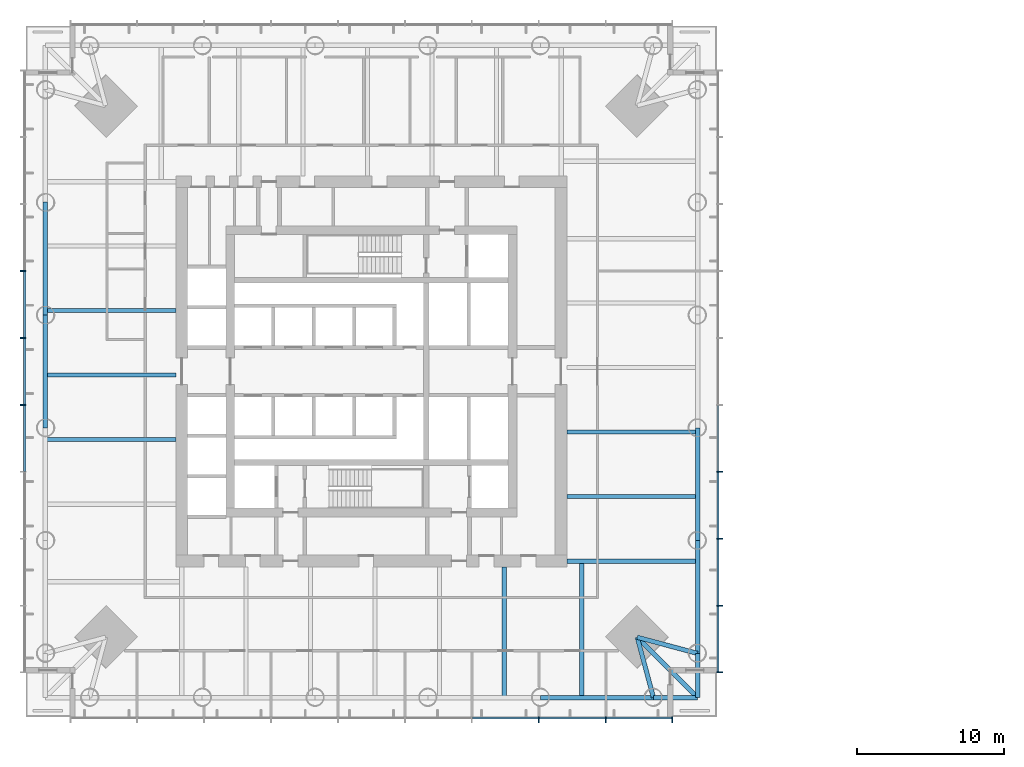
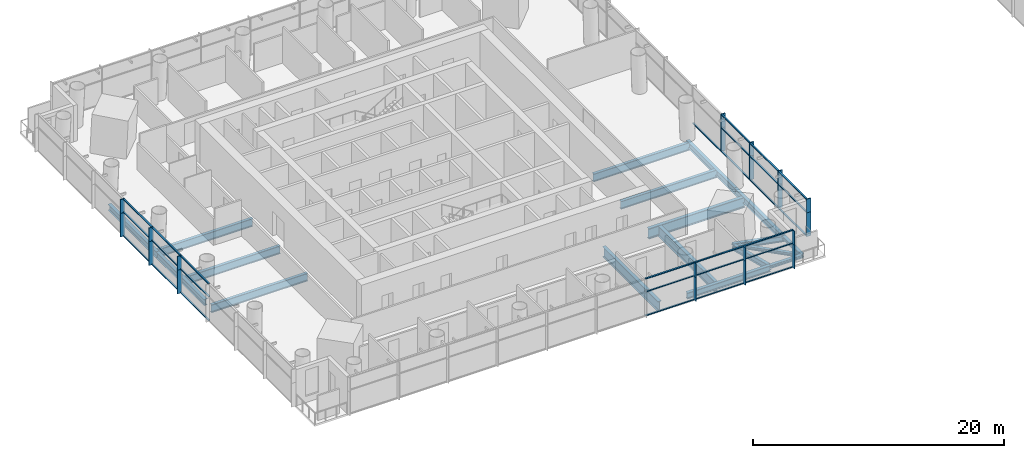
# One storey, part 3 of 24: 48 members, 18 beams, 6 elements without a shape of their own.
"""IFC4 building model written with IfcOpenShell, lengths in metres."""

from ifc_helpers import new_model, si_unit, direction, frame, origin, origin_2d, place, context, subcontext, project, spatial, rectangle, i_section, extrude, material, material_profile, profile_set, type_object, element, aggregate, save


model = new_model("IFC4")

# Units and contexts
model_context = context("Model", 3, precision=1e-05, world=origin(), true_north=direction((0.0, 1.0)))
body_context = subcontext(model_context, "Body", "Model", "MODEL_VIEW")
ifc_project = project(units=[si_unit("LENGTHUNIT", "METRE"), si_unit("AREAUNIT", "SQUARE_METRE"), si_unit("VOLUMEUNIT", "CUBIC_METRE"), si_unit("PLANEANGLEUNIT", "RADIAN"), si_unit("MASSUNIT", "GRAM", prefix="KILO")], contexts=[model_context])

# Site, building, storey
site_placement = place(None, origin())
site = spatial("IfcSite", under=ifc_project, at=site_placement, CompositionType="ELEMENT")
building_placement = place(site_placement, origin())
building = spatial("IfcBuilding", under=site, at=building_placement, Name="Ostroluk Exchange", CompositionType="ELEMENT")
storey_placement = place(building_placement, frame((0.0, 0.0, 78.0)))
storey = spatial("IfcBuildingStorey", under=building, at=storey_placement, Name="L19", CompositionType="ELEMENT", Elevation=78.0)

# Beams
ifc_material_1 = material(Name="Steel S355", Category="steel")
ifc_material_profile_1 = material_profile(ifc_material_1, i_section(OverallWidth=0.300048828125, OverallDepth=0.300048828125, WebThickness=0.010986328125, FlangeThickness=0.01904296875, FilletRadius=0.027099609375, at=origin_2d()), Name="HEB 300")
ifc_profile_set_1 = profile_set([ifc_material_profile_1], Name="Steel S355")
beam_type_1 = type_object("IfcBeamType", Name="Balcony beam HEB 300", PredefinedType="BEAM", material=ifc_profile_set_1)
for number, where, z_axis, x_axis, name in (
    (1, (64.178466796875, 23.821533203125, -0.330078125), (1.0, 0.0, 0.0), (0.0, 1.0, 0.0), "T1 south balcony beam a"),
    (2, (67.178466796875, 26.821533203125, -0.330078125), (0.0, -1.0, 0.0), (1.0, 0.0, 0.0), "T1 south balcony beam b"),
):
    element("IfcBeam", number, at=place(storey_placement, frame(where, z_axis=z_axis, x_axis=x_axis)), inside=storey, type_object=beam_type_1, Name=name, PredefinedType="BEAM", context=body_context, shape_type="SweptSolid", body=[
        extrude(i_section(OverallWidth=0.300048828125, OverallDepth=0.300048828125, WebThickness=0.010986328125, FlangeThickness=0.01904296875, FilletRadius=0.027099609375, at=origin_2d()), origin(), (0.0, 0.0, 1.0), 3.0),
    ])
beam_1_placement = place(storey_placement, frame((63.07861328125, 27.92138671875, -0.330078125), z_axis=(0.707106781187, -0.707106781187, 0.0), x_axis=(0.707106781187, 0.707106781187, 0.0)))
element("IfcBeam", 3, at=beam_1_placement, inside=storey, type_object=beam_type_1, Name="T1 south balcony beam c", PredefinedType="BEAM", context=body_context, shape_type="SweptSolid", body=[
    extrude(i_section(OverallWidth=0.300048828125, OverallDepth=0.300048828125, WebThickness=0.010986328125, FlangeThickness=0.01904296875, FilletRadius=0.027099609375, at=origin_2d()), origin(), (0.0, 0.0, 1.0), 5.798095703125),
])
ifc_material_2 = material(Name="Steel S355", Category="steel")
ifc_material_profile_2 = material_profile(ifc_material_2, i_section(OverallWidth=0.300048828125, OverallDepth=0.550048828125, WebThickness=0.014892578125, FlangeThickness=0.029052734375, FilletRadius=0.027099609375, at=origin_2d()), Name="HEB 550")
ifc_profile_set_2 = profile_set([ifc_material_profile_2], Name="Steel S355")
beam_type_2 = type_object("IfcBeamType", Name="Corner edge beam HEB 550", PredefinedType="SPANDREL", material=ifc_profile_set_2)
for number, where, z_axis, x_axis, name in (
    (4, (63.07861328125, 27.92138671875, -0.455078125), (0.259105011038, -0.965849156574, 0.0), (0.965849156574, 0.259105011038, 0.0), "T1 south corner edge beam a"),
    (5, (63.07861328125, 27.92138671875, -0.455078125), (0.965849156574, -0.259105011038, 0.0), (0.259105011038, 0.965849156574, 0.0), "T1 south corner edge beam b"),
):
    element("IfcBeam", number, at=place(storey_placement, frame(where, z_axis=z_axis, x_axis=x_axis)), inside=storey, type_object=beam_type_2, Name=name, PredefinedType="SPANDREL", context=body_context, shape_type="SweptSolid", body=[
        extrude(i_section(OverallWidth=0.300048828125, OverallDepth=0.550048828125, WebThickness=0.014892578125, FlangeThickness=0.029052734375, FilletRadius=0.027099609375, at=origin_2d()), origin(), (0.0, 0.0, 1.0), 4.244873046875),
    ])
ifc_material_3 = material(Name="Steel S355", Category="steel")
ifc_material_profile_3 = material_profile(ifc_material_3, i_section(OverallWidth=0.302001953125, OverallDepth=1.008056640625, WebThickness=0.02099609375, FlangeThickness=0.0400390625, FilletRadius=0.030029296875, at=origin_2d()), Name="HEM 1000")
ifc_profile_set_3 = profile_set([ifc_material_profile_3], Name="Steel S355")
beam_type_3 = type_object("IfcBeamType", Name="Floor beam HEM 1000", PredefinedType="BEAM", material=ifc_profile_set_3)
beam_2_placement = place(storey_placement, frame((54.024169921875, 32.699951171875, -0.68408203125), z_axis=(0.0, -1.0, 0.0), x_axis=(1.0, 0.0, 0.0)))
element("IfcBeam", 6, at=beam_2_placement, inside=storey, type_object=beam_type_3, Name="T1 south floor beam 5", PredefinedType="BEAM", context=body_context, shape_type="SweptSolid", body=[
    extrude(i_section(OverallWidth=0.302001953125, OverallDepth=1.008056640625, WebThickness=0.02099609375, FlangeThickness=0.0400390625, FilletRadius=0.030029296875, at=origin_2d()), origin(), (0.0, 0.0, 1.0), 8.87841796875),
])
beam_3_placement = place(storey_placement, frame((59.300048828125, 33.10009765625, -0.68408203125), z_axis=(0.0, -1.0, 0.0), x_axis=(1.0, 0.0, 0.0)))
element("IfcBeam", 7, at=beam_3_placement, inside=storey, type_object=beam_type_3, Name="T1 south floor beam 6", PredefinedType="BEAM", context=body_context, shape_type="SweptSolid", body=[
    extrude(i_section(OverallWidth=0.302001953125, OverallDepth=1.008056640625, WebThickness=0.02099609375, FlangeThickness=0.0400390625, FilletRadius=0.030029296875, at=origin_2d()), origin(), (0.0, 0.0, 1.0), 9.278564453125),
])
ifc_material_4 = material(Name="Steel S355", Category="steel")
ifc_material_profile_4 = material_profile(ifc_material_4, i_section(OverallWidth=0.26806640625, OverallDepth=0.77001953125, WebThickness=0.015625, FlangeThickness=0.025390625, FilletRadius=0.01708984375, at=origin_2d()), Name="IPE 750x196")
ifc_profile_set_4 = profile_set([ifc_material_profile_4], Name="Steel S355")
beam_type_4 = type_object("IfcBeamType", Name="Floor beam IPE 750x196", PredefinedType="BEAM", material=ifc_profile_set_4)
for number, where, z_axis, x_axis, name in (
    (8, (58.300048828125, 37.48486328125, -0.56494140625), (1.0, 0.0, 0.0), (0.0, 1.0, 0.0), "T1 east floor beam 1"),
    (9, (58.300048828125, 41.86962890625, -0.56494140625), (1.0, 0.0, 0.0), (0.0, 1.0, 0.0), "T1 east floor beam 2"),
    (10, (31.699951171875, 50.13037109375, -0.56494140625), (-1.0, 0.0, 0.0), (0.0, -1.0, 0.0), "T1 west floor beam 2"),
    (11, (31.699951171875, 45.74560546875, -0.56494140625), (-1.0, 0.0, 0.0), (0.0, -1.0, 0.0), "T1 west floor beam 3"),
    (12, (31.699951171875, 41.360595703125, -0.56494140625), (-1.0, 0.0, 0.0), (0.0, -1.0, 0.0), "T1 west floor beam 4"),
):
    element("IfcBeam", number, at=place(storey_placement, frame(where, z_axis=z_axis, x_axis=x_axis)), inside=storey, type_object=beam_type_4, Name=name, PredefinedType="BEAM", context=body_context, shape_type="SweptSolid", body=[
        extrude(i_section(OverallWidth=0.26806640625, OverallDepth=0.77001953125, WebThickness=0.015625, FlangeThickness=0.025390625, FilletRadius=0.01708984375, at=origin_2d()), origin(), (0.0, 0.0, 1.0), 8.87841796875),
    ])
ifc_material_5 = material(Name="Steel S355", Category="steel")
ifc_material_profile_5 = material_profile(ifc_material_5, i_section(OverallWidth=0.302001953125, OverallDepth=1.008056640625, WebThickness=0.02099609375, FlangeThickness=0.0400390625, FilletRadius=0.030029296875, at=origin_2d()), Name="HEM 1000")
ifc_profile_set_5 = profile_set([ifc_material_profile_5], Name="Steel S355")
beam_type_5 = type_object("IfcBeamType", Name="Girder HEM 1000", PredefinedType="BEAM", material=ifc_profile_set_5)
beam_4_placement = place(storey_placement, frame((58.300048828125, 33.10009765625, -0.68408203125), z_axis=(1.0, 0.0, 0.0), x_axis=(0.0, 1.0, 0.0)))
element("IfcBeam", 13, at=beam_4_placement, inside=storey, type_object=beam_type_5, Name="T1 south girder", PredefinedType="BEAM", context=body_context, shape_type="SweptSolid", body=[
    extrude(i_section(OverallWidth=0.302001953125, OverallDepth=1.008056640625, WebThickness=0.02099609375, FlangeThickness=0.0400390625, FilletRadius=0.030029296875, at=origin_2d()), origin(), (0.0, 0.0, 1.0), 8.87841796875),
])
ifc_material_6 = material(Name="Steel S355", Category="steel")
ifc_material_profile_6 = material_profile(ifc_material_6, i_section(OverallWidth=0.300048828125, OverallDepth=0.60009765625, WebThickness=0.015380859375, FlangeThickness=0.030029296875, FilletRadius=0.027099609375, at=origin_2d()), Name="HEB 600")
ifc_profile_set_6 = profile_set([ifc_material_profile_6], Name="Steel S355")
beam_type_6 = type_object("IfcBeamType", Name="Moment-connected edge beam HEB 600", PredefinedType="SPANDREL", material=ifc_profile_set_6)
for number, where, z_axis, x_axis, name in (
    (14, (67.178466796875, 26.821533203125, -0.47998046875), (0.0, 1.0, 0.0), (-1.0, 0.0, 0.0), "T1 east edge beam 1"),
    (15, (67.178466796875, 34.492919921875, -0.47998046875), (0.0, 1.0, 0.0), (-1.0, 0.0, 0.0), "T1 east edge beam 2"),
    (16, (22.821533203125, 57.507080078125, -0.47998046875), (0.0, -1.0, 0.0), (1.0, 0.0, 0.0), "T1 west edge beam 2"),
    (17, (22.821533203125, 49.835693359375, -0.47998046875), (0.0, -1.0, 0.0), (1.0, 0.0, 0.0), "T1 west edge beam 3"),
    (18, (56.507080078125, 23.821533203125, -0.47998046875), (1.0, 0.0, 0.0), (0.0, 1.0, 0.0), "T1 south edge beam 5"),
):
    element("IfcBeam", number, at=place(storey_placement, frame(where, z_axis=z_axis, x_axis=x_axis)), inside=storey, type_object=beam_type_6, Name=name, PredefinedType="SPANDREL", context=body_context, shape_type="SweptSolid", body=[
        extrude(i_section(OverallWidth=0.300048828125, OverallDepth=0.60009765625, WebThickness=0.015380859375, FlangeThickness=0.030029296875, FilletRadius=0.027099609375, at=origin_2d()), origin(), (0.0, 0.0, 1.0), 7.67138671875),
    ])

# Curtain wall, members
ifc_material_7 = material(Name="Laminated clear glass", Category="glass")
curtain_wall_type = type_object("IfcCurtainWallType", Name="Office tower facade", PredefinedType="USERDEFINED", material=ifc_material_7)
curtain_wall_1_placement = place(storey_placement, origin())
curtain_wall_1 = element("IfcCurtainWall", 19, at=curtain_wall_1_placement, inside=storey, type_object=curtain_wall_type, Name="Office tower south facade L19", ObjectType="UNITISED CURTAIN WALL", PredefinedType="USERDEFINED")
ifc_material_8 = material(Name="Aluminium mullion", Category="aluminium")
ifc_material_profile_7 = material_profile(ifc_material_8, rectangle(XDim=0.14990234375, YDim=0.080078125, at=origin_2d()), Name="Sill transom 80 x 150")
ifc_profile_set_7 = profile_set([ifc_material_profile_7], Name="Aluminium mullion")
member_type_1 = type_object("IfcMemberType", Name="Sill transom 80 x 150", PredefinedType="USERDEFINED", material=ifc_profile_set_7)
member_1_placement = place(storey_placement, frame((51.873291015625, 22.425048828125, 0.0400390625), z_axis=(1.0, 0.0, 0.0), x_axis=(0.0, 1.0, 0.0)))
member_1 = element("IfcMember", 20, at=member_1_placement, type_object=member_type_1, Name="CW-O1 transom 7.1", ObjectType="TRANSOM", PredefinedType="USERDEFINED", context=body_context, shape_type="SweptSolid", body=[
    extrude(rectangle(XDim=0.14990234375, YDim=0.080078125, at=origin_2d()), origin(), (0.0, 0.0, 1.0), 4.4755859375),
])
member_2_placement = place(storey_placement, frame((56.428955078125, 22.425048828125, 0.0400390625), z_axis=(1.0, 0.0, 0.0), x_axis=(0.0, 1.0, 0.0)))
member_2 = element("IfcMember", 21, at=member_2_placement, type_object=member_type_1, Name="CW-O1 transom 8.1", ObjectType="TRANSOM", PredefinedType="USERDEFINED", context=body_context, shape_type="SweptSolid", body=[
    extrude(rectangle(XDim=0.14990234375, YDim=0.080078125, at=origin_2d()), origin(), (0.0, 0.0, 1.0), 4.4755859375),
])
member_3_placement = place(storey_placement, frame((60.984375, 22.425048828125, 0.0400390625), z_axis=(1.0, 0.0, 0.0), x_axis=(0.0, 1.0, 0.0)))
member_3 = element("IfcMember", 22, at=member_3_placement, type_object=member_type_1, Name="CW-O1 transom 9.1", ObjectType="TRANSOM", PredefinedType="USERDEFINED", context=body_context, shape_type="SweptSolid", body=[
    extrude(rectangle(XDim=0.14990234375, YDim=0.080078125, at=origin_2d()), origin(), (0.0, 0.0, 1.0), 4.435546875),
])

curtain_wall_2_placement = place(storey_placement, origin())
curtain_wall_2 = element("IfcCurtainWall", 23, at=curtain_wall_2_placement, inside=storey, type_object=curtain_wall_type, Name="Office tower south spandrel L19", ObjectType="UNITISED CURTAIN WALL", PredefinedType="USERDEFINED")
member_4_placement = place(storey_placement, frame((51.873291015625, 22.425048828125, 2.353515625), z_axis=(1.0, 0.0, 0.0), x_axis=(0.0, 1.0, 0.0)))
member_4 = element("IfcMember", 24, at=member_4_placement, type_object=member_type_1, Name="CW-O1 transom 7.1", ObjectType="TRANSOM", PredefinedType="USERDEFINED", context=body_context, shape_type="SweptSolid", body=[
    extrude(rectangle(XDim=0.14990234375, YDim=0.080078125, at=origin_2d()), origin(), (0.0, 0.0, 1.0), 4.4755859375),
])
member_5_placement = place(storey_placement, frame((51.873291015625, 22.425048828125, 3.610107421875), z_axis=(1.0, 0.0, 0.0), x_axis=(0.0, 1.0, 0.0)))
member_5 = element("IfcMember", 25, at=member_5_placement, type_object=member_type_1, Name="CW-O1 transom 7.2", ObjectType="TRANSOM", PredefinedType="USERDEFINED", context=body_context, shape_type="SweptSolid", body=[
    extrude(rectangle(XDim=0.14990234375, YDim=0.080078125, at=origin_2d()), origin(), (0.0, 0.0, 1.0), 4.4755859375),
])
member_6_placement = place(storey_placement, frame((56.428955078125, 22.425048828125, 2.353515625), z_axis=(1.0, 0.0, 0.0), x_axis=(0.0, 1.0, 0.0)))
member_6 = element("IfcMember", 26, at=member_6_placement, type_object=member_type_1, Name="CW-O1 transom 8.1", ObjectType="TRANSOM", PredefinedType="USERDEFINED", context=body_context, shape_type="SweptSolid", body=[
    extrude(rectangle(XDim=0.14990234375, YDim=0.080078125, at=origin_2d()), origin(), (0.0, 0.0, 1.0), 4.4755859375),
])
member_7_placement = place(storey_placement, frame((56.428955078125, 22.425048828125, 3.610107421875), z_axis=(1.0, 0.0, 0.0), x_axis=(0.0, 1.0, 0.0)))
member_7 = element("IfcMember", 27, at=member_7_placement, type_object=member_type_1, Name="CW-O1 transom 8.2", ObjectType="TRANSOM", PredefinedType="USERDEFINED", context=body_context, shape_type="SweptSolid", body=[
    extrude(rectangle(XDim=0.14990234375, YDim=0.080078125, at=origin_2d()), origin(), (0.0, 0.0, 1.0), 4.4755859375),
])
member_8_placement = place(storey_placement, frame((60.984375, 22.425048828125, 2.353515625), z_axis=(1.0, 0.0, 0.0), x_axis=(0.0, 1.0, 0.0)))
member_8 = element("IfcMember", 28, at=member_8_placement, type_object=member_type_1, Name="CW-O1 transom 9.1", ObjectType="TRANSOM", PredefinedType="USERDEFINED", context=body_context, shape_type="SweptSolid", body=[
    extrude(rectangle(XDim=0.14990234375, YDim=0.080078125, at=origin_2d()), origin(), (0.0, 0.0, 1.0), 4.435546875),
])
member_9_placement = place(storey_placement, frame((60.984375, 22.425048828125, 3.610107421875), z_axis=(1.0, 0.0, 0.0), x_axis=(0.0, 1.0, 0.0)))
member_9 = element("IfcMember", 29, at=member_9_placement, type_object=member_type_1, Name="CW-O1 transom 9.2", ObjectType="TRANSOM", PredefinedType="USERDEFINED", context=body_context, shape_type="SweptSolid", body=[
    extrude(rectangle(XDim=0.14990234375, YDim=0.080078125, at=origin_2d()), origin(), (0.0, 0.0, 1.0), 4.435546875),
])

curtain_wall_3_placement = place(storey_placement, origin())
curtain_wall_3 = element("IfcCurtainWall", 30, at=curtain_wall_3_placement, inside=storey, type_object=curtain_wall_type, Name="Office tower east facade L19", ObjectType="UNITISED CURTAIN WALL", PredefinedType="USERDEFINED")
member_10_placement = place(storey_placement, frame((68.574951171875, 25.580078125, 0.0400390625), z_axis=(0.0, 1.0, 0.0), x_axis=(-1.0, 0.0, 0.0)))
member_10 = element("IfcMember", 31, at=member_10_placement, type_object=member_type_1, Name="CW-O1 transom 1.1", ObjectType="TRANSOM", PredefinedType="USERDEFINED", context=body_context, shape_type="SweptSolid", body=[
    extrude(rectangle(XDim=0.14990234375, YDim=0.080078125, at=origin_2d()), origin(), (0.0, 0.0, 1.0), 4.435546875),
])
member_11_placement = place(storey_placement, frame((68.574951171875, 30.095458984375, 0.0400390625), z_axis=(0.0, 1.0, 0.0), x_axis=(-1.0, 0.0, 0.0)))
member_11 = element("IfcMember", 32, at=member_11_placement, type_object=member_type_1, Name="CW-O1 transom 2.1", ObjectType="TRANSOM", PredefinedType="USERDEFINED", context=body_context, shape_type="SweptSolid", body=[
    extrude(rectangle(XDim=0.14990234375, YDim=0.080078125, at=origin_2d()), origin(), (0.0, 0.0, 1.0), 4.4755859375),
])
member_12_placement = place(storey_placement, frame((68.574951171875, 34.651123046875, 0.0400390625), z_axis=(0.0, 1.0, 0.0), x_axis=(-1.0, 0.0, 0.0)))
member_12 = element("IfcMember", 33, at=member_12_placement, type_object=member_type_1, Name="CW-O1 transom 3.1", ObjectType="TRANSOM", PredefinedType="USERDEFINED", context=body_context, shape_type="SweptSolid", body=[
    extrude(rectangle(XDim=0.14990234375, YDim=0.080078125, at=origin_2d()), origin(), (0.0, 0.0, 1.0), 4.4755859375),
])
member_13_placement = place(storey_placement, frame((68.574951171875, 39.206787109375, 0.0400390625), z_axis=(0.0, 1.0, 0.0), x_axis=(-1.0, 0.0, 0.0)))
member_13 = element("IfcMember", 34, at=member_13_placement, type_object=member_type_1, Name="CW-O1 transom 4.1", ObjectType="TRANSOM", PredefinedType="USERDEFINED", context=body_context, shape_type="SweptSolid", body=[
    extrude(rectangle(XDim=0.14990234375, YDim=0.080078125, at=origin_2d()), origin(), (0.0, 0.0, 1.0), 4.475341796875),
])

curtain_wall_4_placement = place(storey_placement, origin())
curtain_wall_4 = element("IfcCurtainWall", 35, at=curtain_wall_4_placement, inside=storey, type_object=curtain_wall_type, Name="Office tower east spandrel L19", ObjectType="UNITISED CURTAIN WALL", PredefinedType="USERDEFINED")
member_14_placement = place(storey_placement, frame((68.574951171875, 25.580078125, 2.353515625), z_axis=(0.0, 1.0, 0.0), x_axis=(-1.0, 0.0, 0.0)))
member_14 = element("IfcMember", 36, at=member_14_placement, type_object=member_type_1, Name="CW-O1 transom 1.1", ObjectType="TRANSOM", PredefinedType="USERDEFINED", context=body_context, shape_type="SweptSolid", body=[
    extrude(rectangle(XDim=0.14990234375, YDim=0.080078125, at=origin_2d()), origin(), (0.0, 0.0, 1.0), 4.435546875),
])
member_15_placement = place(storey_placement, frame((68.574951171875, 25.580078125, 3.610107421875), z_axis=(0.0, 1.0, 0.0), x_axis=(-1.0, 0.0, 0.0)))
member_15 = element("IfcMember", 37, at=member_15_placement, type_object=member_type_1, Name="CW-O1 transom 1.2", ObjectType="TRANSOM", PredefinedType="USERDEFINED", context=body_context, shape_type="SweptSolid", body=[
    extrude(rectangle(XDim=0.14990234375, YDim=0.080078125, at=origin_2d()), origin(), (0.0, 0.0, 1.0), 4.435546875),
])
member_16_placement = place(storey_placement, frame((68.574951171875, 30.095458984375, 2.353515625), z_axis=(0.0, 1.0, 0.0), x_axis=(-1.0, 0.0, 0.0)))
member_16 = element("IfcMember", 38, at=member_16_placement, type_object=member_type_1, Name="CW-O1 transom 2.1", ObjectType="TRANSOM", PredefinedType="USERDEFINED", context=body_context, shape_type="SweptSolid", body=[
    extrude(rectangle(XDim=0.14990234375, YDim=0.080078125, at=origin_2d()), origin(), (0.0, 0.0, 1.0), 4.4755859375),
])
member_17_placement = place(storey_placement, frame((68.574951171875, 30.095458984375, 3.610107421875), z_axis=(0.0, 1.0, 0.0), x_axis=(-1.0, 0.0, 0.0)))
member_17 = element("IfcMember", 39, at=member_17_placement, type_object=member_type_1, Name="CW-O1 transom 2.2", ObjectType="TRANSOM", PredefinedType="USERDEFINED", context=body_context, shape_type="SweptSolid", body=[
    extrude(rectangle(XDim=0.14990234375, YDim=0.080078125, at=origin_2d()), origin(), (0.0, 0.0, 1.0), 4.4755859375),
])
member_18_placement = place(storey_placement, frame((68.574951171875, 34.651123046875, 2.353515625), z_axis=(0.0, 1.0, 0.0), x_axis=(-1.0, 0.0, 0.0)))
member_18 = element("IfcMember", 40, at=member_18_placement, type_object=member_type_1, Name="CW-O1 transom 3.1", ObjectType="TRANSOM", PredefinedType="USERDEFINED", context=body_context, shape_type="SweptSolid", body=[
    extrude(rectangle(XDim=0.14990234375, YDim=0.080078125, at=origin_2d()), origin(), (0.0, 0.0, 1.0), 4.4755859375),
])
member_19_placement = place(storey_placement, frame((68.574951171875, 34.651123046875, 3.610107421875), z_axis=(0.0, 1.0, 0.0), x_axis=(-1.0, 0.0, 0.0)))
member_19 = element("IfcMember", 41, at=member_19_placement, type_object=member_type_1, Name="CW-O1 transom 3.2", ObjectType="TRANSOM", PredefinedType="USERDEFINED", context=body_context, shape_type="SweptSolid", body=[
    extrude(rectangle(XDim=0.14990234375, YDim=0.080078125, at=origin_2d()), origin(), (0.0, 0.0, 1.0), 4.4755859375),
])

curtain_wall_5_placement = place(storey_placement, origin())
curtain_wall_5 = element("IfcCurtainWall", 42, at=curtain_wall_5_placement, inside=storey, type_object=curtain_wall_type, Name="Office tower west facade L19", ObjectType="UNITISED CURTAIN WALL", PredefinedType="USERDEFINED")
member_20_placement = place(storey_placement, frame((21.425048828125, 52.793212890625, 0.0400390625), z_axis=(0.0, -1.0, 0.0), x_axis=(1.0, 0.0, 0.0)))
member_20 = element("IfcMember", 43, at=member_20_placement, type_object=member_type_1, Name="CW-O1 transom 4.1", ObjectType="TRANSOM", PredefinedType="USERDEFINED", context=body_context, shape_type="SweptSolid", body=[
    extrude(rectangle(XDim=0.14990234375, YDim=0.080078125, at=origin_2d()), origin(), (0.0, 0.0, 1.0), 4.475341796875),
])
member_21_placement = place(storey_placement, frame((21.425048828125, 48.23779296875, 0.0400390625), z_axis=(0.0, -1.0, 0.0), x_axis=(1.0, 0.0, 0.0)))
member_21 = element("IfcMember", 44, at=member_21_placement, type_object=member_type_1, Name="CW-O1 transom 5.1", ObjectType="TRANSOM", PredefinedType="USERDEFINED", context=body_context, shape_type="SweptSolid", body=[
    extrude(rectangle(XDim=0.14990234375, YDim=0.080078125, at=origin_2d()), origin(), (0.0, 0.0, 1.0), 4.4755859375),
])
member_22_placement = place(storey_placement, frame((21.425048828125, 43.68212890625, 0.0400390625), z_axis=(0.0, -1.0, 0.0), x_axis=(1.0, 0.0, 0.0)))
member_22 = element("IfcMember", 45, at=member_22_placement, type_object=member_type_1, Name="CW-O1 transom 6.1", ObjectType="TRANSOM", PredefinedType="USERDEFINED", context=body_context, shape_type="SweptSolid", body=[
    extrude(rectangle(XDim=0.14990234375, YDim=0.080078125, at=origin_2d()), origin(), (0.0, 0.0, 1.0), 4.475341796875),
])

curtain_wall_6_placement = place(storey_placement, origin())
curtain_wall_6 = element("IfcCurtainWall", 46, at=curtain_wall_6_placement, inside=storey, type_object=curtain_wall_type, Name="Office tower west spandrel L19", ObjectType="UNITISED CURTAIN WALL", PredefinedType="USERDEFINED")
member_23_placement = place(storey_placement, frame((21.425048828125, 52.793212890625, 2.353515625), z_axis=(0.0, -1.0, 0.0), x_axis=(1.0, 0.0, 0.0)))
member_23 = element("IfcMember", 47, at=member_23_placement, type_object=member_type_1, Name="CW-O1 transom 4.1", ObjectType="TRANSOM", PredefinedType="USERDEFINED", context=body_context, shape_type="SweptSolid", body=[
    extrude(rectangle(XDim=0.14990234375, YDim=0.080078125, at=origin_2d()), origin(), (0.0, 0.0, 1.0), 4.475341796875),
])
member_24_placement = place(storey_placement, frame((21.425048828125, 52.793212890625, 3.610107421875), z_axis=(0.0, -1.0, 0.0), x_axis=(1.0, 0.0, 0.0)))
member_24 = element("IfcMember", 48, at=member_24_placement, type_object=member_type_1, Name="CW-O1 transom 4.2", ObjectType="TRANSOM", PredefinedType="USERDEFINED", context=body_context, shape_type="SweptSolid", body=[
    extrude(rectangle(XDim=0.14990234375, YDim=0.080078125, at=origin_2d()), origin(), (0.0, 0.0, 1.0), 4.475341796875),
])
member_25_placement = place(storey_placement, frame((21.425048828125, 48.23779296875, 2.353515625), z_axis=(0.0, -1.0, 0.0), x_axis=(1.0, 0.0, 0.0)))
member_25 = element("IfcMember", 49, at=member_25_placement, type_object=member_type_1, Name="CW-O1 transom 5.1", ObjectType="TRANSOM", PredefinedType="USERDEFINED", context=body_context, shape_type="SweptSolid", body=[
    extrude(rectangle(XDim=0.14990234375, YDim=0.080078125, at=origin_2d()), origin(), (0.0, 0.0, 1.0), 4.4755859375),
])
member_26_placement = place(storey_placement, frame((21.425048828125, 48.23779296875, 3.610107421875), z_axis=(0.0, -1.0, 0.0), x_axis=(1.0, 0.0, 0.0)))
member_26 = element("IfcMember", 50, at=member_26_placement, type_object=member_type_1, Name="CW-O1 transom 5.2", ObjectType="TRANSOM", PredefinedType="USERDEFINED", context=body_context, shape_type="SweptSolid", body=[
    extrude(rectangle(XDim=0.14990234375, YDim=0.080078125, at=origin_2d()), origin(), (0.0, 0.0, 1.0), 4.4755859375),
])
member_27_placement = place(storey_placement, frame((21.425048828125, 43.68212890625, 2.353515625), z_axis=(0.0, -1.0, 0.0), x_axis=(1.0, 0.0, 0.0)))
member_27 = element("IfcMember", 51, at=member_27_placement, type_object=member_type_1, Name="CW-O1 transom 6.1", ObjectType="TRANSOM", PredefinedType="USERDEFINED", context=body_context, shape_type="SweptSolid", body=[
    extrude(rectangle(XDim=0.14990234375, YDim=0.080078125, at=origin_2d()), origin(), (0.0, 0.0, 1.0), 4.475341796875),
])
member_28_placement = place(storey_placement, frame((21.425048828125, 43.68212890625, 3.610107421875), z_axis=(0.0, -1.0, 0.0), x_axis=(1.0, 0.0, 0.0)))
member_28 = element("IfcMember", 52, at=member_28_placement, type_object=member_type_1, Name="CW-O1 transom 6.2", ObjectType="TRANSOM", PredefinedType="USERDEFINED", context=body_context, shape_type="SweptSolid", body=[
    extrude(rectangle(XDim=0.14990234375, YDim=0.080078125, at=origin_2d()), origin(), (0.0, 0.0, 1.0), 4.475341796875),
])

# Member
ifc_material_9 = material(Name="Aluminium mullion with limestone facing", Category="masonry")
ifc_material_profile_8 = material_profile(ifc_material_9, rectangle(XDim=0.39990234375, YDim=0.080078125, at=origin_2d()), Name="Tracery mullion 80 x 400")
ifc_profile_set_8 = profile_set([ifc_material_profile_8], Name="Aluminium mullion with limestone facing")
member_type_2 = type_object("IfcMemberType", Name="Tracery mullion 80 x 400", PredefinedType="MULLION", material=ifc_profile_set_8)
member_29_placement = place(storey_placement, frame((56.388916015625, 22.300048828125, 0.0), z_axis=(0.0, 0.0, 1.0), x_axis=(0.0, 1.0, 0.0)))
member_29 = element("IfcMember", 53, at=member_29_placement, type_object=member_type_2, Name="CW-O1 mullion 8", PredefinedType="MULLION", context=body_context, shape_type="SweptSolid", body=[
    extrude(rectangle(XDim=0.39990234375, YDim=0.080078125, at=origin_2d()), origin(), (0.0, 0.0, 1.0), 2.3134765625),
])

member_30_placement = place(storey_placement, frame((60.9443359375, 22.300048828125, 0.0), z_axis=(0.0, 0.0, 1.0), x_axis=(0.0, 1.0, 0.0)))
member_30 = element("IfcMember", 54, at=member_30_placement, type_object=member_type_2, Name="CW-O1 mullion 9", PredefinedType="MULLION", context=body_context, shape_type="SweptSolid", body=[
    extrude(rectangle(XDim=0.39990234375, YDim=0.080078125, at=origin_2d()), origin(), (0.0, 0.0, 1.0), 2.3134765625),
])

member_31_placement = place(storey_placement, frame((65.4599609375, 22.300048828125, 0.0), z_axis=(0.0, 0.0, 1.0), x_axis=(0.0, 1.0, 0.0)))
member_31 = element("IfcMember", 55, at=member_31_placement, type_object=member_type_2, Name="CW-O1 mullion 10", PredefinedType="MULLION", context=body_context, shape_type="SweptSolid", body=[
    extrude(rectangle(XDim=0.39990234375, YDim=0.080078125, at=origin_2d()), origin(), (0.0, 0.0, 1.0), 2.3134765625),
])

aggregate(curtain_wall_1, [member_29, member_30, member_31, member_1, member_2, member_3])

member_32_placement = place(storey_placement, frame((56.388916015625, 22.300048828125, 2.3134765625), z_axis=(0.0, 0.0, 1.0), x_axis=(0.0, 1.0, 0.0)))
member_32 = element("IfcMember", 56, at=member_32_placement, type_object=member_type_2, Name="CW-O1 mullion 8", PredefinedType="MULLION", context=body_context, shape_type="SweptSolid", body=[
    extrude(rectangle(XDim=0.39990234375, YDim=0.080078125, at=origin_2d()), origin(), (0.0, 0.0, 1.0), 1.33642578125),
])

member_33_placement = place(storey_placement, frame((60.9443359375, 22.300048828125, 2.3134765625), z_axis=(0.0, 0.0, 1.0), x_axis=(0.0, 1.0, 0.0)))
member_33 = element("IfcMember", 57, at=member_33_placement, type_object=member_type_2, Name="CW-O1 mullion 9", PredefinedType="MULLION", context=body_context, shape_type="SweptSolid", body=[
    extrude(rectangle(XDim=0.39990234375, YDim=0.080078125, at=origin_2d()), origin(), (0.0, 0.0, 1.0), 1.33642578125),
])

member_34_placement = place(storey_placement, frame((65.4599609375, 22.300048828125, 2.3134765625), z_axis=(0.0, 0.0, 1.0), x_axis=(0.0, 1.0, 0.0)))
member_34 = element("IfcMember", 58, at=member_34_placement, type_object=member_type_2, Name="CW-O1 mullion 10", PredefinedType="MULLION", context=body_context, shape_type="SweptSolid", body=[
    extrude(rectangle(XDim=0.39990234375, YDim=0.080078125, at=origin_2d()), origin(), (0.0, 0.0, 1.0), 1.33642578125),
])

aggregate(curtain_wall_2, [member_32, member_33, member_34, member_4, member_5, member_6, member_7, member_8, member_9])

member_35_placement = place(storey_placement, frame((68.699951171875, 25.5400390625, 0.0), z_axis=(0.0, 0.0, 1.0), x_axis=(-1.0, 0.0, 0.0)))
member_35 = element("IfcMember", 59, at=member_35_placement, type_object=member_type_2, Name="CW-O1 mullion 1", PredefinedType="MULLION", context=body_context, shape_type="SweptSolid", body=[
    extrude(rectangle(XDim=0.39990234375, YDim=0.080078125, at=origin_2d()), origin(), (0.0, 0.0, 1.0), 2.3134765625),
])

member_36_placement = place(storey_placement, frame((68.699951171875, 30.0556640625, 0.0), z_axis=(0.0, 0.0, 1.0), x_axis=(-1.0, 0.0, 0.0)))
member_36 = element("IfcMember", 60, at=member_36_placement, type_object=member_type_2, Name="CW-O1 mullion 2", PredefinedType="MULLION", context=body_context, shape_type="SweptSolid", body=[
    extrude(rectangle(XDim=0.39990234375, YDim=0.080078125, at=origin_2d()), origin(), (0.0, 0.0, 1.0), 2.3134765625),
])

member_37_placement = place(storey_placement, frame((68.699951171875, 34.611083984375, 0.0), z_axis=(0.0, 0.0, 1.0), x_axis=(-1.0, 0.0, 0.0)))
member_37 = element("IfcMember", 61, at=member_37_placement, type_object=member_type_2, Name="CW-O1 mullion 3", PredefinedType="MULLION", context=body_context, shape_type="SweptSolid", body=[
    extrude(rectangle(XDim=0.39990234375, YDim=0.080078125, at=origin_2d()), origin(), (0.0, 0.0, 1.0), 2.3134765625),
])

member_38_placement = place(storey_placement, frame((68.699951171875, 39.166748046875, 0.0), z_axis=(0.0, 0.0, 1.0), x_axis=(-1.0, 0.0, 0.0)))
member_38 = element("IfcMember", 62, at=member_38_placement, type_object=member_type_2, Name="CW-O1 mullion 4", PredefinedType="MULLION", context=body_context, shape_type="SweptSolid", body=[
    extrude(rectangle(XDim=0.39990234375, YDim=0.080078125, at=origin_2d()), origin(), (0.0, 0.0, 1.0), 2.3134765625),
])

aggregate(curtain_wall_3, [member_35, member_36, member_37, member_38, member_10, member_11, member_12, member_13])

member_39_placement = place(storey_placement, frame((68.699951171875, 25.5400390625, 2.3134765625), z_axis=(0.0, 0.0, 1.0), x_axis=(-1.0, 0.0, 0.0)))
member_39 = element("IfcMember", 63, at=member_39_placement, type_object=member_type_2, Name="CW-O1 mullion 1", PredefinedType="MULLION", context=body_context, shape_type="SweptSolid", body=[
    extrude(rectangle(XDim=0.39990234375, YDim=0.080078125, at=origin_2d()), origin(), (0.0, 0.0, 1.0), 1.33642578125),
])

member_40_placement = place(storey_placement, frame((68.699951171875, 30.0556640625, 2.3134765625), z_axis=(0.0, 0.0, 1.0), x_axis=(-1.0, 0.0, 0.0)))
member_40 = element("IfcMember", 64, at=member_40_placement, type_object=member_type_2, Name="CW-O1 mullion 2", PredefinedType="MULLION", context=body_context, shape_type="SweptSolid", body=[
    extrude(rectangle(XDim=0.39990234375, YDim=0.080078125, at=origin_2d()), origin(), (0.0, 0.0, 1.0), 1.33642578125),
])

member_41_placement = place(storey_placement, frame((68.699951171875, 34.611083984375, 2.3134765625), z_axis=(0.0, 0.0, 1.0), x_axis=(-1.0, 0.0, 0.0)))
member_41 = element("IfcMember", 65, at=member_41_placement, type_object=member_type_2, Name="CW-O1 mullion 3", PredefinedType="MULLION", context=body_context, shape_type="SweptSolid", body=[
    extrude(rectangle(XDim=0.39990234375, YDim=0.080078125, at=origin_2d()), origin(), (0.0, 0.0, 1.0), 1.33642578125),
])

member_42_placement = place(storey_placement, frame((68.699951171875, 39.166748046875, 2.3134765625), z_axis=(0.0, 0.0, 1.0), x_axis=(-1.0, 0.0, 0.0)))
member_42 = element("IfcMember", 66, at=member_42_placement, type_object=member_type_2, Name="CW-O1 mullion 4", PredefinedType="MULLION", context=body_context, shape_type="SweptSolid", body=[
    extrude(rectangle(XDim=0.39990234375, YDim=0.080078125, at=origin_2d()), origin(), (0.0, 0.0, 1.0), 1.33642578125),
])

aggregate(curtain_wall_4, [member_39, member_40, member_41, member_42, member_14, member_15, member_16, member_17, member_18, member_19])

member_43_placement = place(storey_placement, frame((21.300048828125, 52.833251953125, 0.0), z_axis=(0.0, 0.0, 1.0), x_axis=(1.0, 0.0, 0.0)))
member_43 = element("IfcMember", 67, at=member_43_placement, type_object=member_type_2, Name="CW-O1 mullion 4", PredefinedType="MULLION", context=body_context, shape_type="SweptSolid", body=[
    extrude(rectangle(XDim=0.39990234375, YDim=0.080078125, at=origin_2d()), origin(), (0.0, 0.0, 1.0), 2.3134765625),
])

member_44_placement = place(storey_placement, frame((21.300048828125, 48.27783203125, 0.0), z_axis=(0.0, 0.0, 1.0), x_axis=(1.0, 0.0, 0.0)))
member_44 = element("IfcMember", 68, at=member_44_placement, type_object=member_type_2, Name="CW-O1 mullion 5", PredefinedType="MULLION", context=body_context, shape_type="SweptSolid", body=[
    extrude(rectangle(XDim=0.39990234375, YDim=0.080078125, at=origin_2d()), origin(), (0.0, 0.0, 1.0), 2.3134765625),
])

member_45_placement = place(storey_placement, frame((21.300048828125, 43.72216796875, 0.0), z_axis=(0.0, 0.0, 1.0), x_axis=(1.0, 0.0, 0.0)))
member_45 = element("IfcMember", 69, at=member_45_placement, type_object=member_type_2, Name="CW-O1 mullion 6", PredefinedType="MULLION", context=body_context, shape_type="SweptSolid", body=[
    extrude(rectangle(XDim=0.39990234375, YDim=0.080078125, at=origin_2d()), origin(), (0.0, 0.0, 1.0), 2.3134765625),
])

aggregate(curtain_wall_5, [member_43, member_44, member_45, member_20, member_21, member_22])

member_46_placement = place(storey_placement, frame((21.300048828125, 52.833251953125, 2.3134765625), z_axis=(0.0, 0.0, 1.0), x_axis=(1.0, 0.0, 0.0)))
member_46 = element("IfcMember", 70, at=member_46_placement, type_object=member_type_2, Name="CW-O1 mullion 4", PredefinedType="MULLION", context=body_context, shape_type="SweptSolid", body=[
    extrude(rectangle(XDim=0.39990234375, YDim=0.080078125, at=origin_2d()), origin(), (0.0, 0.0, 1.0), 1.33642578125),
])

member_47_placement = place(storey_placement, frame((21.300048828125, 48.27783203125, 2.3134765625), z_axis=(0.0, 0.0, 1.0), x_axis=(1.0, 0.0, 0.0)))
member_47 = element("IfcMember", 71, at=member_47_placement, type_object=member_type_2, Name="CW-O1 mullion 5", PredefinedType="MULLION", context=body_context, shape_type="SweptSolid", body=[
    extrude(rectangle(XDim=0.39990234375, YDim=0.080078125, at=origin_2d()), origin(), (0.0, 0.0, 1.0), 1.33642578125),
])

member_48_placement = place(storey_placement, frame((21.300048828125, 43.72216796875, 2.3134765625), z_axis=(0.0, 0.0, 1.0), x_axis=(1.0, 0.0, 0.0)))
member_48 = element("IfcMember", 72, at=member_48_placement, type_object=member_type_2, Name="CW-O1 mullion 6", PredefinedType="MULLION", context=body_context, shape_type="SweptSolid", body=[
    extrude(rectangle(XDim=0.39990234375, YDim=0.080078125, at=origin_2d()), origin(), (0.0, 0.0, 1.0), 1.33642578125),
])

aggregate(curtain_wall_6, [member_46, member_47, member_48, member_23, member_24, member_25, member_26, member_27, member_28])

save(model, "model.ifc")
